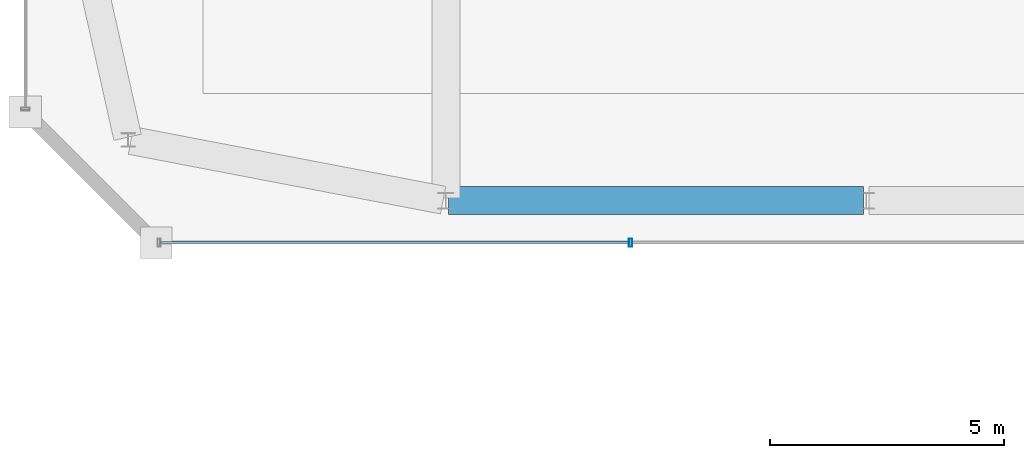
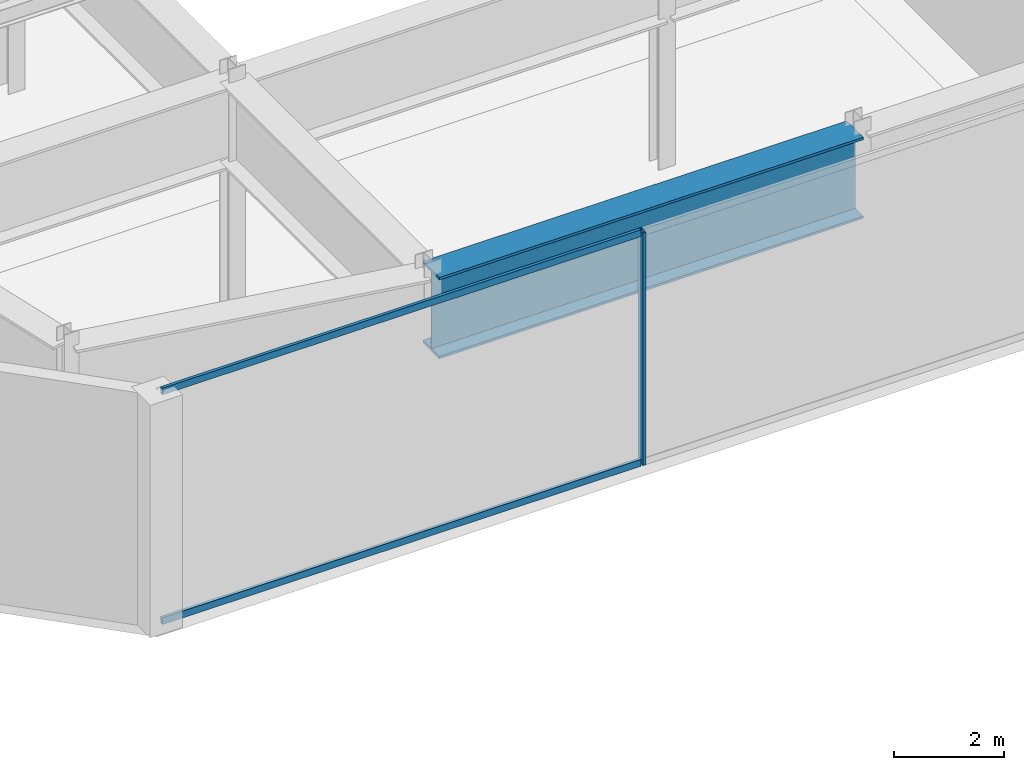
# One storey, part 33 of 53: 3 members, 1 beam, 1 element without a shape of its own.
"""IFC4 building model written with IfcOpenShell, lengths in metres."""

from ifc_helpers import new_model, si_unit, direction, frame, origin, origin_2d, place, context, subcontext, project, spatial, hollow_rectangle, i_section, extrude, material, material_profile, profile_set, type_object, element, aggregate, save


model = new_model("IFC4")

# Units and contexts
model_context = context("Model", 3, precision=1e-05, world=origin(), true_north=direction((0.0, 1.0)))
body_context = subcontext(model_context, "Body", "Model", "MODEL_VIEW")
ifc_project = project(units=[si_unit("LENGTHUNIT", "METRE"), si_unit("AREAUNIT", "SQUARE_METRE"), si_unit("VOLUMEUNIT", "CUBIC_METRE"), si_unit("PLANEANGLEUNIT", "RADIAN"), si_unit("MASSUNIT", "GRAM", prefix="KILO")], contexts=[model_context])

# Site, building, storey
site_placement = place(None, origin())
site = spatial("IfcSite", under=ifc_project, at=site_placement, CompositionType="ELEMENT")
building_placement = place(site_placement, origin())
building = spatial("IfcBuilding", under=site, at=building_placement, Name="Saevonmaru Cultural Tower", CompositionType="ELEMENT")
storey_placement = place(building_placement, frame((0.0, 0.0, 22.199951171875)))
storey = spatial("IfcBuildingStorey", under=building, at=storey_placement, Name="L04", CompositionType="ELEMENT", Elevation=22.199951171875)

# Beam
ifc_material_1 = material(Name="Steel HSA600 (600 MPa)", Category="steel")
ifc_material_profile_1 = material_profile(ifc_material_1, i_section(OverallWidth=0.60009765625, OverallDepth=1.800048828125, WebThickness=0.028076171875, FlangeThickness=0.054931640625, at=origin_2d()), Name="PG-1800x600x28x55")
ifc_profile_set_1 = profile_set([ifc_material_profile_1], Name="Steel HSA600 (600 MPa)")
beam_type = type_object("IfcBeamType", Name="BM-TG-PG1800", PredefinedType="BEAM", material=ifc_profile_set_1)
beam_placement = place(storey_placement, frame((81.260009765625, 8.89990234375, 4.199951171875), z_axis=(1.0, 0.0, 0.0), x_axis=(0.0, 1.0, 0.0)))
element("IfcBeam", 1, at=beam_placement, inside=storey, type_object=beam_type, Name="L04 Library Girder EW-1-2", PredefinedType="BEAM", context=body_context, shape_type="SweptSolid", body=[
    extrude(i_section(OverallWidth=0.60009765625, OverallDepth=1.800048828125, WebThickness=0.028076171875, FlangeThickness=0.054931640625, at=origin_2d()), origin(), (0.0, 0.0, 1.0), 8.8798828125),
])

# Curtain wall, members
ifc_material_2 = material(Name="Satin Bronze Anodised Aluminium", Category="aluminium")
curtain_wall_type = type_object("IfcCurtainWallType", Name="CW-LIB-GLZ", PredefinedType="NOTDEFINED", material=ifc_material_2)
curtain_wall_placement = place(storey_placement, origin())
curtain_wall = element("IfcCurtainWall", 2, at=curtain_wall_placement, inside=storey, type_object=curtain_wall_type, Name="L04 Central Library Reading Hall Curtain Wall 2", PredefinedType="NOTDEFINED")
ifc_material_profile_2 = material_profile(ifc_material_2, hollow_rectangle(XDim=0.06494140625, YDim=0.179931640625, WallThickness=0.00390625, at=origin_2d()), Name="ALU-MULL-180x65x4")
ifc_profile_set_2 = profile_set([ifc_material_profile_2], Name="Satin Bronze Anodised Aluminium")
member_type_1 = type_object("IfcMemberType", Name="ML-CW-180x65", PredefinedType="MULLION", material=ifc_profile_set_2)
member_1_placement = place(storey_placement, frame((85.1533203125, 8.0, 0.0), z_axis=(0.0, 0.0, 1.0), x_axis=(1.0, 0.0, 0.0)))
member_1 = element("IfcMember", 3, at=member_1_placement, type_object=member_type_1, Name="CW-LIB-2-L04 mullion 2", PredefinedType="MULLION", context=body_context, shape_type="SweptSolid", body=[
    extrude(hollow_rectangle(XDim=0.06494140625, YDim=0.179931640625, WallThickness=0.00390625, at=origin_2d()), origin(), (0.0, 0.0, 1.0), 5.150146484375),
])
ifc_material_profile_3 = material_profile(ifc_material_2, hollow_rectangle(XDim=0.06494140625, YDim=0.14990234375, WallThickness=0.00390625, at=origin_2d()), Name="ALU-TRAN-150x65x4")
ifc_profile_set_3 = profile_set([ifc_material_profile_3], Name="Satin Bronze Anodised Aluminium")
member_type_2 = type_object("IfcMemberType", Name="TR-CW-150x65", PredefinedType="USERDEFINED", material=ifc_profile_set_3)
member_2_placement = place(storey_placement, frame((75.092529296875, 8.0, 0.032470703125), z_axis=(1.0, 0.0, 0.0), x_axis=(0.0, 1.0, 0.0)))
member_2 = element("IfcMember", 4, at=member_2_placement, type_object=member_type_2, Name="CW-LIB-2-L04 transom 1.1", ObjectType="TRANSOM", PredefinedType="USERDEFINED", context=body_context, shape_type="SweptSolid", body=[
    extrude(hollow_rectangle(XDim=0.06494140625, YDim=0.14990234375, WallThickness=0.00390625, at=origin_2d()), origin(), (0.0, 0.0, 1.0), 10.0283203125),
])
member_3_placement = place(storey_placement, frame((75.092529296875, 8.0, 5.117431640625), z_axis=(1.0, 0.0, 0.0), x_axis=(0.0, 1.0, 0.0)))
member_3 = element("IfcMember", 5, at=member_3_placement, type_object=member_type_2, Name="CW-LIB-2-L04 transom 1.2", ObjectType="TRANSOM", PredefinedType="USERDEFINED", context=body_context, shape_type="SweptSolid", body=[
    extrude(hollow_rectangle(XDim=0.06494140625, YDim=0.14990234375, WallThickness=0.00390625, at=origin_2d()), origin(), (0.0, 0.0, 1.0), 10.0283203125),
])
aggregate(curtain_wall, [member_1, member_2, member_3])

save(model, "model.ifc")
